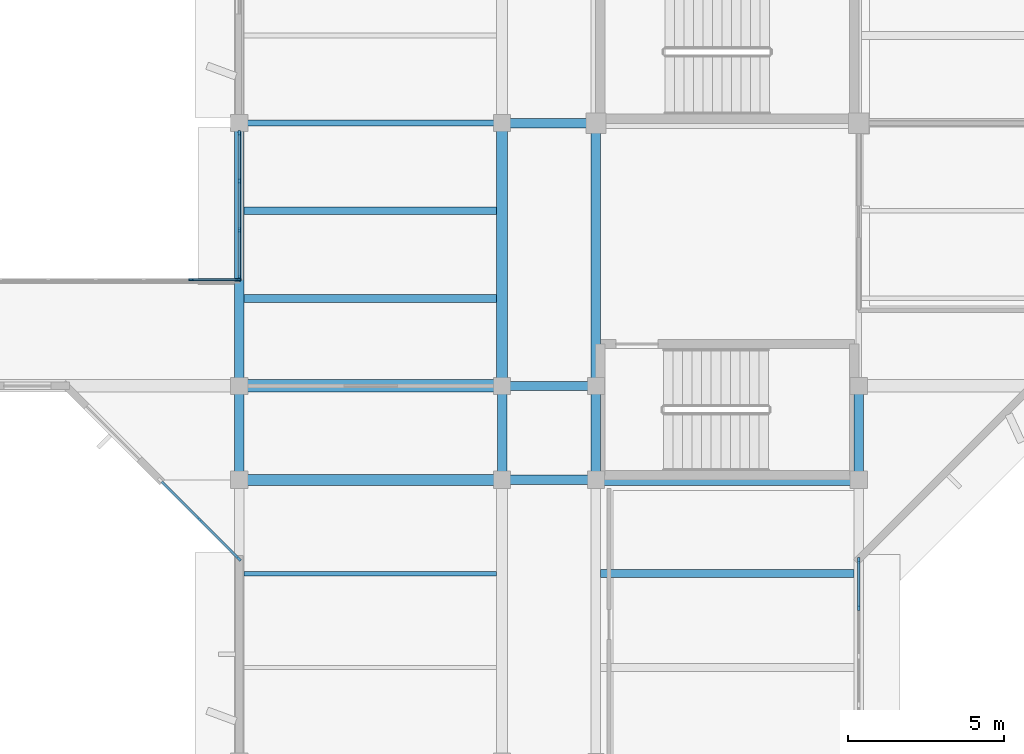
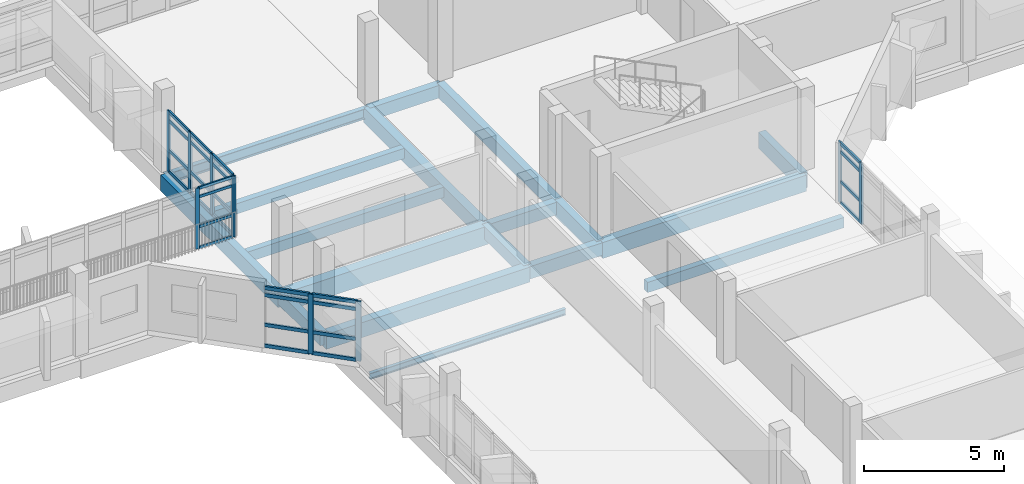
# One storey, part 35 of 92: 38 members, 18 beams, 4 elements without a shape of their own.
"""IFC4 building model written with IfcOpenShell, lengths in metres."""

from ifc_helpers import new_model, si_unit, direction, frame, origin, origin_2d, place, context, subcontext, project, spatial, rectangle, i_section, extrude, material, material_profile, profile_set, type_object, element, aggregate, save


model = new_model("IFC4")

# Units and contexts
model_context = context("Model", 3, precision=1e-05, world=origin(), true_north=direction((0.0, 1.0)))
body_context = subcontext(model_context, "Body", "Model", "MODEL_VIEW")
ifc_project = project(units=[si_unit("LENGTHUNIT", "METRE"), si_unit("AREAUNIT", "SQUARE_METRE"), si_unit("VOLUMEUNIT", "CUBIC_METRE"), si_unit("PLANEANGLEUNIT", "RADIAN"), si_unit("MASSUNIT", "GRAM", prefix="KILO")], contexts=[model_context])

# Site, building, storey
site_placement = place(None, origin())
site = spatial("IfcSite", under=ifc_project, at=site_placement, CompositionType="ELEMENT")
building_placement = place(site_placement, origin())
building = spatial("IfcBuilding", under=site, at=building_placement, Name="Vanh Quang Courtyard School", CompositionType="ELEMENT")
storey_placement = place(building_placement, frame((0.0, 0.0, 7.800048828125)))
storey = spatial("IfcBuildingStorey", under=building, at=storey_placement, Name="L02", CompositionType="ELEMENT", Elevation=7.800048828125)

# Beams
ifc_material_1 = material(Name="Concrete C35/45", Category="concrete")
ifc_material_profile_1 = material_profile(ifc_material_1, rectangle(XDim=0.300048828125, YDim=0.550048828125, at=origin_2d()), Name="RC-BM 300x550")
ifc_profile_set_1 = profile_set([ifc_material_profile_1], Name="Concrete C35/45")
beam_type_1 = type_object("IfcBeamType", Name="BM-RC-300x550", PredefinedType="BEAM", material=ifc_profile_set_1)
for number, where, z_axis, x_axis, name in (
    (1, (74.39990234375, 68.39990234375, -0.574951171875), (1.0, 0.0, 0.0), (0.0, 1.0, 0.0), "Beam B-07 (L02)"),
    (2, (74.39990234375, 71.39990234375, -0.574951171875), (1.0, 0.0, 0.0), (0.0, 1.0, 0.0), "Beam B-07 (L02)"),
    (3, (74.39990234375, 79.800048828125, -0.574951171875), (1.0, 0.0, 0.0), (0.0, 1.0, 0.0), "Beam B-07 (L02)"),
    (4, (66.0, 68.39990234375, -0.574951171875), (0.0, 1.0, 0.0), (-1.0, 0.0, 0.0), "Beam B-07 (L02)"),
    (5, (74.39990234375, 68.39990234375, -0.574951171875), (0.0, 1.0, 0.0), (-1.0, 0.0, 0.0), "Beam B-07 (L02)"),
):
    element("IfcBeam", number, at=place(storey_placement, frame(where, z_axis=z_axis, x_axis=x_axis)), inside=storey, type_object=beam_type_1, Name=name, PredefinedType="BEAM", context=body_context, shape_type="SweptSolid", body=[
        extrude(rectangle(XDim=0.300048828125, YDim=0.550048828125, at=origin_2d()), origin(), (0.0, 0.0, 1.0), 3.0),
    ])
ifc_material_profile_2 = material_profile(ifc_material_1, rectangle(XDim=0.300048828125, YDim=0.60009765625, at=origin_2d()), Name="RC-BM 300x600")
ifc_profile_set_2 = profile_set([ifc_material_profile_2], Name="Concrete C35/45")
beam_type_2 = type_object("IfcBeamType", Name="BM-RC-300x600", PredefinedType="BEAM", material=ifc_profile_set_2)
beam_1_placement = place(storey_placement, frame((77.39990234375, 71.39990234375, -0.580078125), z_axis=(0.0, 1.0, 0.0), x_axis=(-1.0, 0.0, 0.0)))
element("IfcBeam", 6, at=beam_1_placement, inside=storey, type_object=beam_type_2, Name="Beam B-06 (L02)", PredefinedType="BEAM", context=body_context, shape_type="SweptSolid", body=[
    extrude(rectangle(XDim=0.300048828125, YDim=0.60009765625, at=origin_2d()), origin(), (0.0, 0.0, 1.0), 8.400146484375),
])
ifc_material_profile_3 = material_profile(ifc_material_1, rectangle(XDim=0.35009765625, YDim=0.64990234375, at=origin_2d()), Name="RC-BM 350x650")
ifc_profile_set_3 = profile_set([ifc_material_profile_3], Name="Concrete C35/45")
beam_type_3 = type_object("IfcBeamType", Name="BM-RC-350x650", PredefinedType="BEAM", material=ifc_profile_set_3)
beam_2_placement = place(storey_placement, frame((66.0, 68.39990234375, -0.625), z_axis=(1.0, 0.0, 0.0), x_axis=(0.0, 1.0, 0.0)))
element("IfcBeam", 7, at=beam_2_placement, inside=storey, type_object=beam_type_3, Name="Beam B-05 (L02)", PredefinedType="BEAM", context=body_context, shape_type="SweptSolid", body=[
    extrude(rectangle(XDim=0.35009765625, YDim=0.64990234375, at=origin_2d()), origin(), (0.0, 0.0, 1.0), 8.39990234375),
])
beam_3_placement = place(storey_placement, frame((74.39990234375, 71.39990234375, -0.625), z_axis=(0.0, 1.0, 0.0), x_axis=(-1.0, 0.0, 0.0)))
element("IfcBeam", 8, at=beam_3_placement, inside=storey, type_object=beam_type_3, Name="Beam B-05 (L02)", PredefinedType="BEAM", context=body_context, shape_type="SweptSolid", body=[
    extrude(rectangle(XDim=0.35009765625, YDim=0.64990234375, at=origin_2d()), origin(), (0.0, 0.0, 1.0), 8.400146484375),
])
ifc_material_profile_4 = material_profile(ifc_material_1, rectangle(XDim=0.35009765625, YDim=0.699951171875, at=origin_2d()), Name="RC-BM 350x700")
ifc_profile_set_4 = profile_set([ifc_material_profile_4], Name="Concrete C35/45")
beam_type_4 = type_object("IfcBeamType", Name="BM-RC-350x700", PredefinedType="BEAM", material=ifc_profile_set_4)
beam_4_placement = place(storey_placement, frame((77.39990234375, 68.39990234375, -0.630126953125), z_axis=(1.0, 0.0, 0.0), x_axis=(0.0, 1.0, 0.0)))
element("IfcBeam", 9, at=beam_4_placement, inside=storey, type_object=beam_type_4, Name="Beam B-04 (L02)", PredefinedType="BEAM", context=body_context, shape_type="SweptSolid", body=[
    extrude(rectangle(XDim=0.35009765625, YDim=0.699951171875, at=origin_2d()), origin(), (0.0, 0.0, 1.0), 8.400146484375),
])
ifc_material_profile_5 = material_profile(ifc_material_1, rectangle(XDim=0.39990234375, YDim=0.800048828125, at=origin_2d()), Name="RC-BM 400x800")
ifc_profile_set_5 = profile_set([ifc_material_profile_5], Name="Concrete C35/45")
beam_type_5 = type_object("IfcBeamType", Name="BM-RC-400x800", PredefinedType="BEAM", material=ifc_profile_set_5)
beam_5_placement = place(storey_placement, frame((66.0, 71.39990234375, -0.699951171875), z_axis=(1.0, 0.0, 0.0), x_axis=(0.0, 1.0, 0.0)))
element("IfcBeam", 10, at=beam_5_placement, inside=storey, type_object=beam_type_5, Name="Beam B-02 (L02)", PredefinedType="BEAM", context=body_context, shape_type="SweptSolid", body=[
    extrude(rectangle(XDim=0.39990234375, YDim=0.800048828125, at=origin_2d()), origin(), (0.0, 0.0, 1.0), 8.39990234375),
])
ifc_material_profile_6 = material_profile(ifc_material_1, rectangle(XDim=0.300048828125, YDim=0.699951171875, at=origin_2d()), Name="RC-SP 300x700")
ifc_profile_set_6 = profile_set([ifc_material_profile_6], Name="Concrete C35/45")
beam_type_6 = type_object("IfcBeamType", Name="BM-SP-300x700", PredefinedType="SPANDREL", material=ifc_profile_set_6)
beam_6_placement = place(storey_placement, frame((66.0, 71.39990234375, -0.650146484375), z_axis=(0.0, 1.0, 0.0), x_axis=(-1.0, 0.0, 0.0)))
element("IfcBeam", 11, at=beam_6_placement, inside=storey, type_object=beam_type_6, Name="Beam BS-01 (L02)", PredefinedType="SPANDREL", context=body_context, shape_type="SweptSolid", body=[
    extrude(rectangle(XDim=0.300048828125, YDim=0.699951171875, at=origin_2d()), origin(), (0.0, 0.0, 1.0), 8.400146484375),
])
for number, where, z_axis, x_axis, name in (
    (12, (77.39990234375, 68.39990234375, -0.630126953125), (0.0, 1.0, 0.0), (-1.0, 0.0, 0.0), "Beam BS-01 (L02)"),
    (13, (85.800048828125, 68.39990234375, -0.630126953125), (0.0, 1.0, 0.0), (-1.0, 0.0, 0.0), "Beam BS-01 (L02)"),
):
    element("IfcBeam", number, at=place(storey_placement, frame(where, z_axis=z_axis, x_axis=x_axis)), inside=storey, type_object=beam_type_6, Name=name, PredefinedType="SPANDREL", context=body_context, shape_type="SweptSolid", body=[
        extrude(rectangle(XDim=0.300048828125, YDim=0.699951171875, at=origin_2d()), origin(), (0.0, 0.0, 1.0), 3.0),
    ])
ifc_material_2 = material(Name="Structural steel EN 10025-2 S355J2", Category="steel")
ifc_material_profile_7 = material_profile(ifc_material_2, i_section(OverallWidth=0.18994140625, OverallDepth=0.449951171875, WebThickness=0.009521484375, FlangeThickness=0.0146484375, FilletRadius=0.02099609375, at=origin_2d()), Name="IPE 450")
ifc_profile_set_7 = profile_set([ifc_material_profile_7], Name="Structural steel EN 10025-2 S355J2")
beam_type_7 = type_object("IfcBeamType", Name="BM-STL-IPE450", PredefinedType="BEAM", material=ifc_profile_set_7)
beam_7_placement = place(storey_placement, frame((66.0, 79.800048828125, -0.525146484375), z_axis=(1.0, 0.0, 0.0), x_axis=(0.0, 1.0, 0.0)))
element("IfcBeam", 14, at=beam_7_placement, inside=storey, type_object=beam_type_7, Name="Beam SB-04 (L02)", PredefinedType="BEAM", context=body_context, shape_type="SweptSolid", body=[
    extrude(i_section(OverallWidth=0.18994140625, OverallDepth=0.449951171875, WebThickness=0.009521484375, FlangeThickness=0.0146484375, FilletRadius=0.02099609375, at=origin_2d()), origin(), (0.0, 0.0, 1.0), 8.39990234375),
])

# Curtain wall, members
ifc_material_3 = material(Name="Thermally broken aluminium unitised curtain wall", Category="aluminium")
curtain_wall_type_1 = type_object("IfcCurtainWallType", Name="CW-SYS-54", PredefinedType="NOTDEFINED", material=ifc_material_3)
curtain_wall_1_placement = place(storey_placement, origin())
curtain_wall_1 = element("IfcCurtainWall", 15, at=curtain_wall_1_placement, inside=storey, type_object=curtain_wall_type_1, Name="Curtain Wall CW-54 (L02)", PredefinedType="NOTDEFINED")
ifc_material_4 = material(Name="Anodised aluminium 6063-T6", Category="aluminium")
ifc_material_profile_8 = material_profile(ifc_material_4, rectangle(XDim=0.06005859375, YDim=0.159912109375, at=origin_2d()), Name="ALU-MUL 60x160")
ifc_profile_set_8 = profile_set([ifc_material_profile_8], Name="Anodised aluminium 6063-T6")
member_type_1 = type_object("IfcMemberType", Name="CW-MUL-60x160", PredefinedType="MULLION", material=ifc_profile_set_8)
member_1_placement = place(storey_placement, frame((64.47265625, 74.800048828125, 0.0), z_axis=(0.0, 0.0, 1.0), x_axis=(0.0, 1.0, 0.0)))
member_1 = element("IfcMember", 16, at=member_1_placement, type_object=member_type_1, Name="CW-54 mullion 11", PredefinedType="MULLION", context=body_context, shape_type="SweptSolid", body=[
    extrude(rectangle(XDim=0.06005859375, YDim=0.159912109375, at=origin_2d()), origin(), (0.0, 0.0, 1.0), 2.64990234375),
])
member_2_placement = place(storey_placement, frame((65.969970703125, 74.800048828125, 0.0), z_axis=(0.0, 0.0, 1.0), x_axis=(0.0, 1.0, 0.0)))
member_2 = element("IfcMember", 17, at=member_2_placement, type_object=member_type_1, Name="CW-54 mullion 12", PredefinedType="MULLION", context=body_context, shape_type="SweptSolid", body=[
    extrude(rectangle(XDim=0.06005859375, YDim=0.159912109375, at=origin_2d()), origin(), (0.0, 0.0, 1.0), 2.64990234375),
])

curtain_wall_type_2 = type_object("IfcCurtainWallType", Name="CW-SYS-44", PredefinedType="NOTDEFINED", material=ifc_material_3)
curtain_wall_2_placement = place(storey_placement, origin())
curtain_wall_2 = element("IfcCurtainWall", 18, at=curtain_wall_2_placement, inside=storey, type_object=curtain_wall_type_2, Name="Curtain Wall CW-44 (L02)", PredefinedType="NOTDEFINED")
ifc_material_profile_9 = material_profile(ifc_material_4, rectangle(XDim=0.070068359375, YDim=0.179931640625, at=origin_2d()), Name="ALU-MUL 70x180")
ifc_profile_set_9 = profile_set([ifc_material_profile_9], Name="Anodised aluminium 6063-T6")
member_type_2 = type_object("IfcMemberType", Name="CW-MUL-70x180", PredefinedType="MULLION", material=ifc_profile_set_9)
member_3_placement = place(storey_placement, frame((85.800048828125, 65.821044921875, 0.0), z_axis=(0.0, 0.0, 1.0), x_axis=(1.0, 0.0, 0.0)))
member_3 = element("IfcMember", 19, at=member_3_placement, type_object=member_type_2, Name="CW-44 mullion 1", PredefinedType="MULLION", context=body_context, shape_type="SweptSolid", body=[
    extrude(rectangle(XDim=0.070068359375, YDim=0.179931640625, at=origin_2d()), origin(), (0.0, 0.0, 1.0), 2.639892578125),
])
member_4_placement = place(storey_placement, frame((85.800048828125, 64.306396484375, 0.0), z_axis=(0.0, 0.0, 1.0), x_axis=(1.0, 0.0, 0.0)))
member_4 = element("IfcMember", 20, at=member_4_placement, type_object=member_type_2, Name="CW-44 mullion 2", PredefinedType="MULLION", context=body_context, shape_type="SweptSolid", body=[
    extrude(rectangle(XDim=0.070068359375, YDim=0.179931640625, at=origin_2d()), origin(), (0.0, 0.0, 1.0), 2.639892578125),
])

curtain_wall_type_3 = type_object("IfcCurtainWallType", Name="CW-SYS-55", PredefinedType="NOTDEFINED", material=ifc_material_3)
curtain_wall_3_placement = place(storey_placement, origin())
curtain_wall_3 = element("IfcCurtainWall", 21, at=curtain_wall_3_placement, inside=storey, type_object=curtain_wall_type_3, Name="Curtain Wall CW-55 (L02)", PredefinedType="NOTDEFINED")
member_5_placement = place(storey_placement, frame((66.0, 74.8349609375, 0.0), z_axis=(0.0, 0.0, 1.0), x_axis=(-1.0, 0.0, 0.0)))
member_5 = element("IfcMember", 22, at=member_5_placement, type_object=member_type_2, Name="CW-55 mullion 1", PredefinedType="MULLION", context=body_context, shape_type="SweptSolid", body=[
    extrude(rectangle(XDim=0.070068359375, YDim=0.179931640625, at=origin_2d()), origin(), (0.0, 0.0, 1.0), 2.64990234375),
])
member_6_placement = place(storey_placement, frame((66.0, 76.372314453125, 0.0), z_axis=(0.0, 0.0, 1.0), x_axis=(-1.0, 0.0, 0.0)))
member_6 = element("IfcMember", 23, at=member_6_placement, type_object=member_type_2, Name="CW-55 mullion 2", PredefinedType="MULLION", context=body_context, shape_type="SweptSolid", body=[
    extrude(rectangle(XDim=0.070068359375, YDim=0.179931640625, at=origin_2d()), origin(), (0.0, 0.0, 1.0), 2.64990234375),
])
member_7_placement = place(storey_placement, frame((66.0, 77.944580078125, 0.0), z_axis=(0.0, 0.0, 1.0), x_axis=(-1.0, 0.0, 0.0)))
member_7 = element("IfcMember", 24, at=member_7_placement, type_object=member_type_2, Name="CW-55 mullion 3", PredefinedType="MULLION", context=body_context, shape_type="SweptSolid", body=[
    extrude(rectangle(XDim=0.070068359375, YDim=0.179931640625, at=origin_2d()), origin(), (0.0, 0.0, 1.0), 2.64990234375),
])
member_8_placement = place(storey_placement, frame((66.0, 79.48193359375, 0.0), z_axis=(0.0, 0.0, 1.0), x_axis=(-1.0, 0.0, 0.0)))
member_8 = element("IfcMember", 25, at=member_8_placement, type_object=member_type_2, Name="CW-55 mullion 4", PredefinedType="MULLION", context=body_context, shape_type="SweptSolid", body=[
    extrude(rectangle(XDim=0.070068359375, YDim=0.179931640625, at=origin_2d()), origin(), (0.0, 0.0, 1.0), 2.64990234375),
])

curtain_wall_type_4 = type_object("IfcCurtainWallType", Name="CW-SYS-41", PredefinedType="NOTDEFINED", material=ifc_material_3)
curtain_wall_4_placement = place(storey_placement, origin())
curtain_wall_4 = element("IfcCurtainWall", 26, at=curtain_wall_4_placement, inside=storey, type_object=curtain_wall_type_4, Name="Curtain Wall CW-41 (L02)", PredefinedType="NOTDEFINED")
ifc_material_profile_10 = material_profile(ifc_material_4, rectangle(XDim=0.080078125, YDim=0.199951171875, at=origin_2d()), Name="ALU-MUL 80x200")
ifc_profile_set_10 = profile_set([ifc_material_profile_10], Name="Anodised aluminium 6063-T6")
member_type_3 = type_object("IfcMemberType", Name="CW-MUL-80x200", PredefinedType="MULLION", material=ifc_profile_set_10)
member_9_placement = place(storey_placement, frame((65.9716796875, 65.88427734375, 0.0), z_axis=(0.0, 0.0, 1.0), x_axis=(-0.707106781187, -0.707106781187, 0.0)))
member_9 = element("IfcMember", 27, at=member_9_placement, type_object=member_type_3, Name="CW-41 mullion 1", PredefinedType="MULLION", context=body_context, shape_type="SweptSolid", body=[
    extrude(rectangle(XDim=0.080078125, YDim=0.199951171875, at=origin_2d()), origin(), (0.0, 0.0, 1.0), 2.599853515625),
])
member_10_placement = place(storey_placement, frame((64.72802734375, 67.1279296875, 0.0), z_axis=(0.0, 0.0, 1.0), x_axis=(-0.707106781187, -0.707106781187, 0.0)))
member_10 = element("IfcMember", 28, at=member_10_placement, type_object=member_type_3, Name="CW-41 mullion 2", PredefinedType="MULLION", context=body_context, shape_type="SweptSolid", body=[
    extrude(rectangle(XDim=0.080078125, YDim=0.199951171875, at=origin_2d()), origin(), (0.0, 0.0, 1.0), 2.599853515625),
])

# Member
ifc_material_profile_11 = material_profile(ifc_material_4, rectangle(XDim=0.06005859375, YDim=0.1201171875, at=origin_2d()), Name="ALU-TRN 60x120")
ifc_profile_set_11 = profile_set([ifc_material_profile_11], Name="Anodised aluminium 6063-T6")
member_type_4 = type_object("IfcMemberType", Name="CW-TRN-60x120", PredefinedType="USERDEFINED", material=ifc_profile_set_11)
member_11_placement = place(storey_placement, frame((64.502685546875, 74.800048828125, 0.030029296875), z_axis=(1.0, 0.0, 0.0), x_axis=(0.0, 1.0, 0.0)))
member_11 = element("IfcMember", 29, at=member_11_placement, type_object=member_type_4, Name="CW-54 transom 11.1", ObjectType="TRANSOM", PredefinedType="USERDEFINED", context=body_context, shape_type="SweptSolid", body=[
    extrude(rectangle(XDim=0.06005859375, YDim=0.1201171875, at=origin_2d()), origin(), (0.0, 0.0, 1.0), 1.437255859375),
])

member_12_placement = place(storey_placement, frame((64.502685546875, 74.800048828125, 0.949951171875), z_axis=(1.0, 0.0, 0.0), x_axis=(0.0, 1.0, 0.0)))
member_12 = element("IfcMember", 30, at=member_12_placement, type_object=member_type_4, Name="CW-54 transom 11.2", ObjectType="TRANSOM", PredefinedType="USERDEFINED", context=body_context, shape_type="SweptSolid", body=[
    extrude(rectangle(XDim=0.06005859375, YDim=0.1201171875, at=origin_2d()), origin(), (0.0, 0.0, 1.0), 1.437255859375),
])

member_13_placement = place(storey_placement, frame((64.502685546875, 74.800048828125, 2.25), z_axis=(1.0, 0.0, 0.0), x_axis=(0.0, 1.0, 0.0)))
member_13 = element("IfcMember", 31, at=member_13_placement, type_object=member_type_4, Name="CW-54 transom 11.3", ObjectType="TRANSOM", PredefinedType="USERDEFINED", context=body_context, shape_type="SweptSolid", body=[
    extrude(rectangle(XDim=0.06005859375, YDim=0.1201171875, at=origin_2d()), origin(), (0.0, 0.0, 1.0), 1.437255859375),
])

member_14_placement = place(storey_placement, frame((64.502685546875, 74.800048828125, 2.619873046875), z_axis=(1.0, 0.0, 0.0), x_axis=(0.0, 1.0, 0.0)))
member_14 = element("IfcMember", 32, at=member_14_placement, type_object=member_type_4, Name="CW-54 transom 11.4", ObjectType="TRANSOM", PredefinedType="USERDEFINED", context=body_context, shape_type="SweptSolid", body=[
    extrude(rectangle(XDim=0.06005859375, YDim=0.1201171875, at=origin_2d()), origin(), (0.0, 0.0, 1.0), 1.437255859375),
])

aggregate(curtain_wall_1, [member_1, member_2, member_11, member_12, member_13, member_14])

ifc_material_profile_12 = material_profile(ifc_material_4, rectangle(XDim=0.070068359375, YDim=0.139892578125, at=origin_2d()), Name="ALU-TRN 70x140")
ifc_profile_set_12 = profile_set([ifc_material_profile_12], Name="Anodised aluminium 6063-T6")
member_type_5 = type_object("IfcMemberType", Name="CW-TRN-70x140", PredefinedType="USERDEFINED", material=ifc_profile_set_12)
member_15_placement = place(storey_placement, frame((85.800048828125, 65.785888671875, 0.034912109375), z_axis=(0.0, -1.0, 0.0), x_axis=(1.0, 0.0, 0.0)))
member_15 = element("IfcMember", 33, at=member_15_placement, type_object=member_type_5, Name="CW-44 transom 1.1", ObjectType="TRANSOM", PredefinedType="USERDEFINED", context=body_context, shape_type="SweptSolid", body=[
    extrude(rectangle(XDim=0.070068359375, YDim=0.139892578125, at=origin_2d()), origin(), (0.0, 0.0, 1.0), 1.4443359375),
])

member_16_placement = place(storey_placement, frame((85.800048828125, 65.785888671875, 0.949951171875), z_axis=(0.0, -1.0, 0.0), x_axis=(1.0, 0.0, 0.0)))
member_16 = element("IfcMember", 34, at=member_16_placement, type_object=member_type_5, Name="CW-44 transom 1.2", ObjectType="TRANSOM", PredefinedType="USERDEFINED", context=body_context, shape_type="SweptSolid", body=[
    extrude(rectangle(XDim=0.070068359375, YDim=0.139892578125, at=origin_2d()), origin(), (0.0, 0.0, 1.0), 1.4443359375),
])

member_17_placement = place(storey_placement, frame((85.800048828125, 65.785888671875, 2.25), z_axis=(0.0, -1.0, 0.0), x_axis=(1.0, 0.0, 0.0)))
member_17 = element("IfcMember", 35, at=member_17_placement, type_object=member_type_5, Name="CW-44 transom 1.3", ObjectType="TRANSOM", PredefinedType="USERDEFINED", context=body_context, shape_type="SweptSolid", body=[
    extrude(rectangle(XDim=0.070068359375, YDim=0.139892578125, at=origin_2d()), origin(), (0.0, 0.0, 1.0), 1.4443359375),
])

member_18_placement = place(storey_placement, frame((85.800048828125, 65.785888671875, 2.60498046875), z_axis=(0.0, -1.0, 0.0), x_axis=(1.0, 0.0, 0.0)))
member_18 = element("IfcMember", 36, at=member_18_placement, type_object=member_type_5, Name="CW-44 transom 1.4", ObjectType="TRANSOM", PredefinedType="USERDEFINED", context=body_context, shape_type="SweptSolid", body=[
    extrude(rectangle(XDim=0.070068359375, YDim=0.139892578125, at=origin_2d()), origin(), (0.0, 0.0, 1.0), 1.4443359375),
])

aggregate(curtain_wall_2, [member_3, member_4, member_15, member_16, member_17, member_18])

member_19_placement = place(storey_placement, frame((66.0, 74.8701171875, 0.034912109375), z_axis=(0.0, 1.0, 0.0), x_axis=(-1.0, 0.0, 0.0)))
member_19 = element("IfcMember", 37, at=member_19_placement, type_object=member_type_5, Name="CW-55 transom 1.1", ObjectType="TRANSOM", PredefinedType="USERDEFINED", context=body_context, shape_type="SweptSolid", body=[
    extrude(rectangle(XDim=0.070068359375, YDim=0.139892578125, at=origin_2d()), origin(), (0.0, 0.0, 1.0), 1.46728515625),
])

member_20_placement = place(storey_placement, frame((66.0, 74.8701171875, 0.949951171875), z_axis=(0.0, 1.0, 0.0), x_axis=(-1.0, 0.0, 0.0)))
member_20 = element("IfcMember", 38, at=member_20_placement, type_object=member_type_5, Name="CW-55 transom 1.2", ObjectType="TRANSOM", PredefinedType="USERDEFINED", context=body_context, shape_type="SweptSolid", body=[
    extrude(rectangle(XDim=0.070068359375, YDim=0.139892578125, at=origin_2d()), origin(), (0.0, 0.0, 1.0), 1.46728515625),
])

member_21_placement = place(storey_placement, frame((66.0, 74.8701171875, 2.25), z_axis=(0.0, 1.0, 0.0), x_axis=(-1.0, 0.0, 0.0)))
member_21 = element("IfcMember", 39, at=member_21_placement, type_object=member_type_5, Name="CW-55 transom 1.3", ObjectType="TRANSOM", PredefinedType="USERDEFINED", context=body_context, shape_type="SweptSolid", body=[
    extrude(rectangle(XDim=0.070068359375, YDim=0.139892578125, at=origin_2d()), origin(), (0.0, 0.0, 1.0), 1.46728515625),
])

member_22_placement = place(storey_placement, frame((66.0, 74.8701171875, 2.614990234375), z_axis=(0.0, 1.0, 0.0), x_axis=(-1.0, 0.0, 0.0)))
member_22 = element("IfcMember", 40, at=member_22_placement, type_object=member_type_5, Name="CW-55 transom 1.4", ObjectType="TRANSOM", PredefinedType="USERDEFINED", context=body_context, shape_type="SweptSolid", body=[
    extrude(rectangle(XDim=0.070068359375, YDim=0.139892578125, at=origin_2d()), origin(), (0.0, 0.0, 1.0), 1.46728515625),
])

member_23_placement = place(storey_placement, frame((66.0, 76.4072265625, 0.034912109375), z_axis=(0.0, 1.0, 0.0), x_axis=(-1.0, 0.0, 0.0)))
member_23 = element("IfcMember", 41, at=member_23_placement, type_object=member_type_5, Name="CW-55 transom 2.1", ObjectType="TRANSOM", PredefinedType="USERDEFINED", context=body_context, shape_type="SweptSolid", body=[
    extrude(rectangle(XDim=0.070068359375, YDim=0.139892578125, at=origin_2d()), origin(), (0.0, 0.0, 1.0), 1.50244140625),
])

member_24_placement = place(storey_placement, frame((66.0, 76.4072265625, 0.949951171875), z_axis=(0.0, 1.0, 0.0), x_axis=(-1.0, 0.0, 0.0)))
member_24 = element("IfcMember", 42, at=member_24_placement, type_object=member_type_5, Name="CW-55 transom 2.2", ObjectType="TRANSOM", PredefinedType="USERDEFINED", context=body_context, shape_type="SweptSolid", body=[
    extrude(rectangle(XDim=0.070068359375, YDim=0.139892578125, at=origin_2d()), origin(), (0.0, 0.0, 1.0), 1.50244140625),
])

member_25_placement = place(storey_placement, frame((66.0, 76.4072265625, 2.25), z_axis=(0.0, 1.0, 0.0), x_axis=(-1.0, 0.0, 0.0)))
member_25 = element("IfcMember", 43, at=member_25_placement, type_object=member_type_5, Name="CW-55 transom 2.3", ObjectType="TRANSOM", PredefinedType="USERDEFINED", context=body_context, shape_type="SweptSolid", body=[
    extrude(rectangle(XDim=0.070068359375, YDim=0.139892578125, at=origin_2d()), origin(), (0.0, 0.0, 1.0), 1.50244140625),
])

member_26_placement = place(storey_placement, frame((66.0, 76.4072265625, 2.614990234375), z_axis=(0.0, 1.0, 0.0), x_axis=(-1.0, 0.0, 0.0)))
member_26 = element("IfcMember", 44, at=member_26_placement, type_object=member_type_5, Name="CW-55 transom 2.4", ObjectType="TRANSOM", PredefinedType="USERDEFINED", context=body_context, shape_type="SweptSolid", body=[
    extrude(rectangle(XDim=0.070068359375, YDim=0.139892578125, at=origin_2d()), origin(), (0.0, 0.0, 1.0), 1.50244140625),
])

member_27_placement = place(storey_placement, frame((66.0, 77.979736328125, 0.034912109375), z_axis=(0.0, 1.0, 0.0), x_axis=(-1.0, 0.0, 0.0)))
member_27 = element("IfcMember", 45, at=member_27_placement, type_object=member_type_5, Name="CW-55 transom 3.1", ObjectType="TRANSOM", PredefinedType="USERDEFINED", context=body_context, shape_type="SweptSolid", body=[
    extrude(rectangle(XDim=0.070068359375, YDim=0.139892578125, at=origin_2d()), origin(), (0.0, 0.0, 1.0), 1.46728515625),
])

member_28_placement = place(storey_placement, frame((66.0, 77.979736328125, 0.949951171875), z_axis=(0.0, 1.0, 0.0), x_axis=(-1.0, 0.0, 0.0)))
member_28 = element("IfcMember", 46, at=member_28_placement, type_object=member_type_5, Name="CW-55 transom 3.2", ObjectType="TRANSOM", PredefinedType="USERDEFINED", context=body_context, shape_type="SweptSolid", body=[
    extrude(rectangle(XDim=0.070068359375, YDim=0.139892578125, at=origin_2d()), origin(), (0.0, 0.0, 1.0), 1.46728515625),
])

member_29_placement = place(storey_placement, frame((66.0, 77.979736328125, 2.25), z_axis=(0.0, 1.0, 0.0), x_axis=(-1.0, 0.0, 0.0)))
member_29 = element("IfcMember", 47, at=member_29_placement, type_object=member_type_5, Name="CW-55 transom 3.3", ObjectType="TRANSOM", PredefinedType="USERDEFINED", context=body_context, shape_type="SweptSolid", body=[
    extrude(rectangle(XDim=0.070068359375, YDim=0.139892578125, at=origin_2d()), origin(), (0.0, 0.0, 1.0), 1.46728515625),
])

member_30_placement = place(storey_placement, frame((66.0, 77.979736328125, 2.614990234375), z_axis=(0.0, 1.0, 0.0), x_axis=(-1.0, 0.0, 0.0)))
member_30 = element("IfcMember", 48, at=member_30_placement, type_object=member_type_5, Name="CW-55 transom 3.4", ObjectType="TRANSOM", PredefinedType="USERDEFINED", context=body_context, shape_type="SweptSolid", body=[
    extrude(rectangle(XDim=0.070068359375, YDim=0.139892578125, at=origin_2d()), origin(), (0.0, 0.0, 1.0), 1.46728515625),
])

aggregate(curtain_wall_3, [member_5, member_6, member_7, member_8, member_19, member_20, member_21, member_22, member_23, member_24, member_25, member_26, member_27, member_28, member_29, member_30])

ifc_material_profile_13 = material_profile(ifc_material_4, rectangle(XDim=0.080078125, YDim=0.14990234375, at=origin_2d()), Name="ALU-TRN 80x150")
ifc_profile_set_13 = profile_set([ifc_material_profile_13], Name="Anodised aluminium 6063-T6")
member_type_6 = type_object("IfcMemberType", Name="CW-TRN-80x150", PredefinedType="USERDEFINED", material=ifc_profile_set_13)
member_31_placement = place(storey_placement, frame((65.943359375, 65.91259765625, 0.0400390625), z_axis=(-0.707106781187, 0.707106781187, 0.0), x_axis=(-0.707106781187, -0.707106781187, 0.0)))
member_31 = element("IfcMember", 49, at=member_31_placement, type_object=member_type_6, Name="CW-41 transom 1.1", ObjectType="TRANSOM", PredefinedType="USERDEFINED", context=body_context, shape_type="SweptSolid", body=[
    extrude(rectangle(XDim=0.080078125, YDim=0.14990234375, at=origin_2d()), origin(), (0.0, 0.0, 1.0), 1.6787109375),
])

member_32_placement = place(storey_placement, frame((65.943359375, 65.91259765625, 0.949951171875), z_axis=(-0.707106781187, 0.707106781187, 0.0), x_axis=(-0.707106781187, -0.707106781187, 0.0)))
member_32 = element("IfcMember", 50, at=member_32_placement, type_object=member_type_6, Name="CW-41 transom 1.2", ObjectType="TRANSOM", PredefinedType="USERDEFINED", context=body_context, shape_type="SweptSolid", body=[
    extrude(rectangle(XDim=0.080078125, YDim=0.14990234375, at=origin_2d()), origin(), (0.0, 0.0, 1.0), 1.6787109375),
])

member_33_placement = place(storey_placement, frame((65.943359375, 65.91259765625, 2.25), z_axis=(-0.707106781187, 0.707106781187, 0.0), x_axis=(-0.707106781187, -0.707106781187, 0.0)))
member_33 = element("IfcMember", 51, at=member_33_placement, type_object=member_type_6, Name="CW-41 transom 1.3", ObjectType="TRANSOM", PredefinedType="USERDEFINED", context=body_context, shape_type="SweptSolid", body=[
    extrude(rectangle(XDim=0.080078125, YDim=0.14990234375, at=origin_2d()), origin(), (0.0, 0.0, 1.0), 1.6787109375),
])

member_34_placement = place(storey_placement, frame((65.943359375, 65.91259765625, 2.56005859375), z_axis=(-0.707106781187, 0.707106781187, 0.0), x_axis=(-0.707106781187, -0.707106781187, 0.0)))
member_34 = element("IfcMember", 52, at=member_34_placement, type_object=member_type_6, Name="CW-41 transom 1.4", ObjectType="TRANSOM", PredefinedType="USERDEFINED", context=body_context, shape_type="SweptSolid", body=[
    extrude(rectangle(XDim=0.080078125, YDim=0.14990234375, at=origin_2d()), origin(), (0.0, 0.0, 1.0), 1.6787109375),
])

member_35_placement = place(storey_placement, frame((64.69970703125, 67.15625, 0.0400390625), z_axis=(-0.707106781187, 0.707106781187, 0.0), x_axis=(-0.707106781187, -0.707106781187, 0.0)))
member_35 = element("IfcMember", 53, at=member_35_placement, type_object=member_type_6, Name="CW-41 transom 2.1", ObjectType="TRANSOM", PredefinedType="USERDEFINED", context=body_context, shape_type="SweptSolid", body=[
    extrude(rectangle(XDim=0.080078125, YDim=0.14990234375, at=origin_2d()), origin(), (0.0, 0.0, 1.0), 1.678955078125),
])

member_36_placement = place(storey_placement, frame((64.69970703125, 67.15625, 0.949951171875), z_axis=(-0.707106781187, 0.707106781187, 0.0), x_axis=(-0.707106781187, -0.707106781187, 0.0)))
member_36 = element("IfcMember", 54, at=member_36_placement, type_object=member_type_6, Name="CW-41 transom 2.2", ObjectType="TRANSOM", PredefinedType="USERDEFINED", context=body_context, shape_type="SweptSolid", body=[
    extrude(rectangle(XDim=0.080078125, YDim=0.14990234375, at=origin_2d()), origin(), (0.0, 0.0, 1.0), 1.678955078125),
])

member_37_placement = place(storey_placement, frame((64.69970703125, 67.15625, 2.25), z_axis=(-0.707106781187, 0.707106781187, 0.0), x_axis=(-0.707106781187, -0.707106781187, 0.0)))
member_37 = element("IfcMember", 55, at=member_37_placement, type_object=member_type_6, Name="CW-41 transom 2.3", ObjectType="TRANSOM", PredefinedType="USERDEFINED", context=body_context, shape_type="SweptSolid", body=[
    extrude(rectangle(XDim=0.080078125, YDim=0.14990234375, at=origin_2d()), origin(), (0.0, 0.0, 1.0), 1.678955078125),
])

member_38_placement = place(storey_placement, frame((64.69970703125, 67.15625, 2.56005859375), z_axis=(-0.707106781187, 0.707106781187, 0.0), x_axis=(-0.707106781187, -0.707106781187, 0.0)))
member_38 = element("IfcMember", 56, at=member_38_placement, type_object=member_type_6, Name="CW-41 transom 2.4", ObjectType="TRANSOM", PredefinedType="USERDEFINED", context=body_context, shape_type="SweptSolid", body=[
    extrude(rectangle(XDim=0.080078125, YDim=0.14990234375, at=origin_2d()), origin(), (0.0, 0.0, 1.0), 1.678955078125),
])

aggregate(curtain_wall_4, [member_9, member_10, member_31, member_32, member_33, member_34, member_35, member_36, member_37, member_38])

# Beams
ifc_material_5 = material(Name="Concrete C30/37", Category="concrete")
ifc_material_profile_14 = material_profile(ifc_material_5, rectangle(XDim=0.25, YDim=0.449951171875, at=origin_2d()), Name="RC-JST 250x450")
ifc_profile_set_14 = profile_set([ifc_material_profile_14], Name="Concrete C30/37")
beam_type_8 = type_object("IfcBeamType", Name="JST-RC-250x450", PredefinedType="JOIST", material=ifc_profile_set_14)
for number, where, z_axis, x_axis, name in (
    (57, (66.14990234375, 74.199951171875, -0.525146484375), (1.0, 0.0, 0.0), (0.0, 1.0, 0.0), "Beam BJ-02 (L02)"),
    (58, (66.14990234375, 77.0, -0.525146484375), (1.0, 0.0, 0.0), (0.0, 1.0, 0.0), "Beam BJ-02 (L02)"),
):
    element("IfcBeam", number, at=place(storey_placement, frame(where, z_axis=z_axis, x_axis=x_axis)), inside=storey, type_object=beam_type_8, Name=name, PredefinedType="JOIST", context=body_context, shape_type="SweptSolid", body=[
        extrude(rectangle(XDim=0.25, YDim=0.449951171875, at=origin_2d()), origin(), (0.0, 0.0, 1.0), 8.0751953125),
    ])
beam_8_placement = place(storey_placement, frame((77.550048828125, 65.39990234375, -0.505126953125), z_axis=(1.0, 0.0, 0.0), x_axis=(0.0, 1.0, 0.0)))
element("IfcBeam", 59, at=beam_8_placement, inside=storey, type_object=beam_type_8, Name="Beam BJ-02 (L02)", PredefinedType="JOIST", context=body_context, shape_type="SweptSolid", body=[
    extrude(rectangle(XDim=0.25, YDim=0.449951171875, at=origin_2d()), origin(), (0.0, 0.0, 1.0), 8.099853515625),
])
ifc_material_profile_15 = material_profile(ifc_material_2, i_section(OverallWidth=0.135009765625, OverallDepth=0.27001953125, WebThickness=0.006591796875, FlangeThickness=0.01025390625, FilletRadius=0.014892578125, at=origin_2d()), Name="IPE 270")
ifc_profile_set_15 = profile_set([ifc_material_profile_15], Name="Structural steel EN 10025-2 S355J2")
beam_type_9 = type_object("IfcBeamType", Name="JST-STL-IPE270", PredefinedType="JOIST", material=ifc_profile_set_15)
beam_9_placement = place(storey_placement, frame((66.14990234375, 65.39990234375, -0.43505859375), z_axis=(1.0, 0.0, 0.0), x_axis=(0.0, 1.0, 0.0)))
element("IfcBeam", 60, at=beam_9_placement, inside=storey, type_object=beam_type_9, Name="Beam SJ-03 (L02)", PredefinedType="JOIST", context=body_context, shape_type="SweptSolid", body=[
    extrude(i_section(OverallWidth=0.135009765625, OverallDepth=0.27001953125, WebThickness=0.006591796875, FlangeThickness=0.01025390625, FilletRadius=0.014892578125, at=origin_2d()), origin(), (0.0, 0.0, 1.0), 8.0751953125),
])

save(model, "model.ifc")
